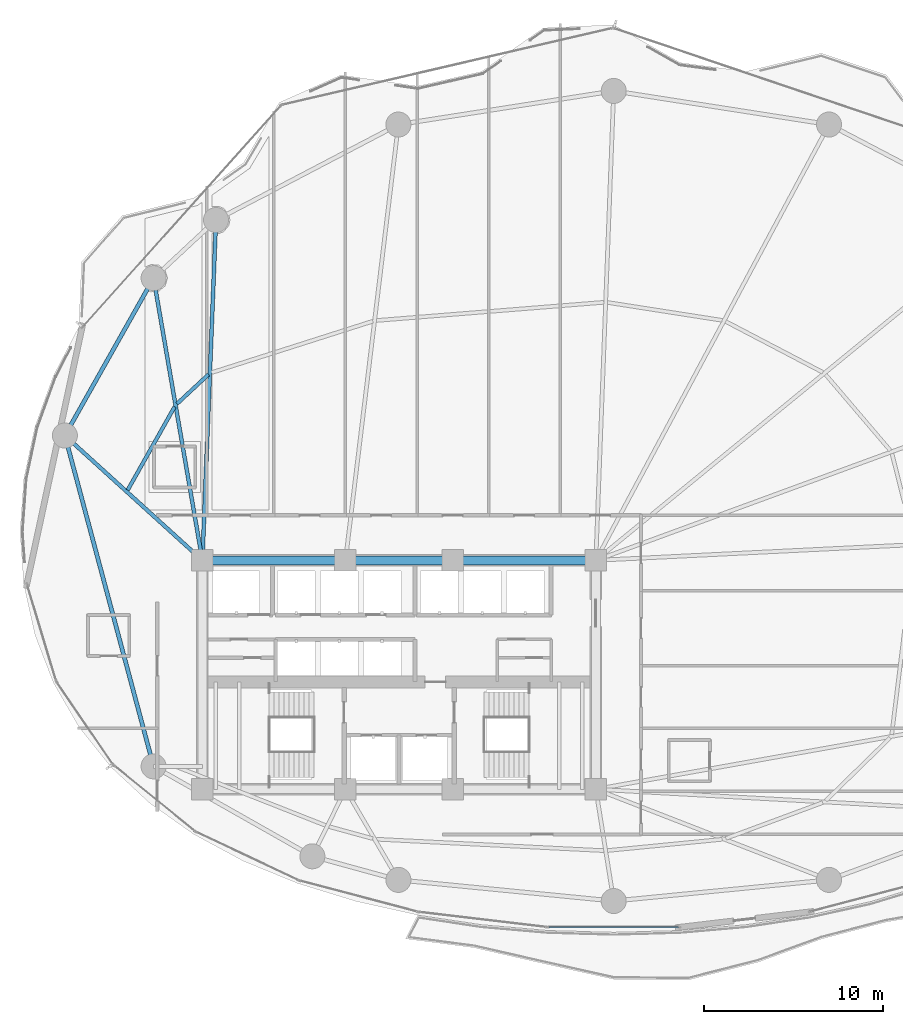
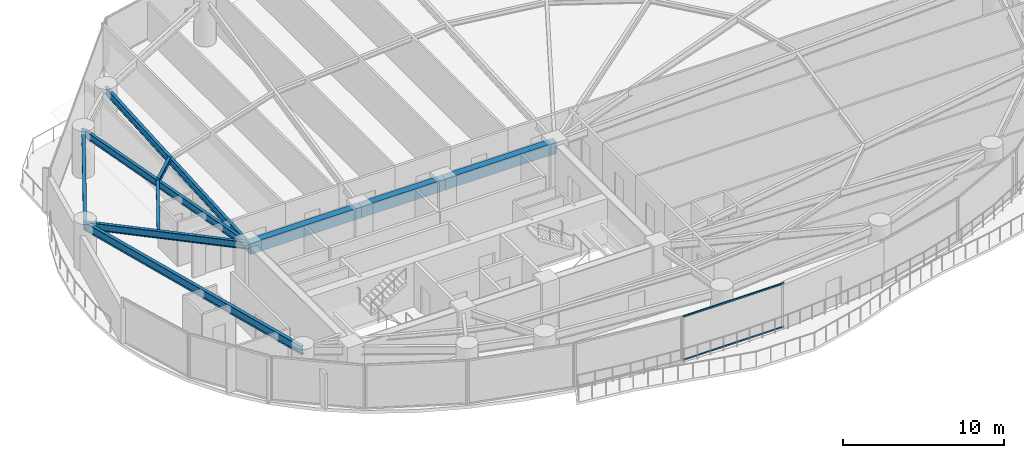
# One storey, part 9 of 32: 10 beams, 2 members, 1 element without a shape of its own.
"""IFC4 building model written with IfcOpenShell, lengths in metres."""

from ifc_helpers import new_model, si_unit, direction, frame, origin, origin_2d, place, context, subcontext, project, spatial, rectangle, hollow_rectangle, i_section, extrude, material, layer, layer_set, material_profile, profile_set, type_object, element, aggregate, save


model = new_model("IFC4")

# Units and contexts
model_context = context("Model", 3, precision=1e-05, world=origin(), true_north=direction((0.0, 1.0)))
body_context = subcontext(model_context, "Body", "Model", "MODEL_VIEW")
ifc_project = project(units=[si_unit("LENGTHUNIT", "METRE"), si_unit("AREAUNIT", "SQUARE_METRE"), si_unit("VOLUMEUNIT", "CUBIC_METRE"), si_unit("PLANEANGLEUNIT", "RADIAN"), si_unit("MASSUNIT", "GRAM", prefix="KILO")], contexts=[model_context])

# Site, building, storey
site_placement = place(None, origin())
site = spatial("IfcSite", under=ifc_project, at=site_placement, CompositionType="ELEMENT")
building_placement = place(site_placement, origin())
building = spatial("IfcBuilding", under=site, at=building_placement, Name="Kazevale Care Tower and Concert Hall", CompositionType="ELEMENT")
storey_placement = place(building_placement, frame((0.0, 0.0, 85.199951171875)))
storey = spatial("IfcBuildingStorey", under=building, at=storey_placement, Name="L22", CompositionType="ELEMENT", Elevation=85.199951171875)

# Curtain wall, members
ifc_material_1 = material(Name="Aluminium 6063-T6 and Low-E Glass", Category="aluminium")
ifc_layer = layer(ifc_material_1, 0.179931640625)
ifc_layer_set = layer_set([ifc_layer], Name="Aluminium 6063-T6 and Low-E Glass")
curtain_wall_type = type_object("IfcCurtainWallType", Name="Sheltered Concave Balcony Curtain Wall CW-5", PredefinedType="NOTDEFINED", material=ifc_layer_set)
curtain_wall_placement = place(storey_placement, origin())
curtain_wall = element("IfcCurtainWall", 1, at=curtain_wall_placement, inside=storey, type_object=curtain_wall_type, Name="cw:L22:f06", PredefinedType="NOTDEFINED")
ifc_material_2 = material(Name="Aluminium 6063-T6", Category="aluminium")
ifc_material_profile_1 = material_profile(ifc_material_2, hollow_rectangle(XDim=0.074951171875, YDim=0.1201171875, WallThickness=0.00390625, at=origin_2d()), Name="ALU75x120x4")
ifc_profile_set_1 = profile_set([ifc_material_profile_1], Name="Aluminium 6063-T6")
member_type = type_object("IfcMemberType", Name="CW-5 Transom ALU75x120x4", PredefinedType="USERDEFINED", material=ifc_profile_set_1)
member_1_placement = place(storey_placement, frame((48.632080078125, 15.885986328125, 0.03759765625), z_axis=(-1.0, 0.0, 0.0), x_axis=(0.0, -1.0, 0.0)))
member_1 = element("IfcMember", 2, at=member_1_placement, type_object=member_type, Name="CW-5 transom 1.1", ObjectType="TRANSOM", PredefinedType="USERDEFINED", context=body_context, shape_type="SweptSolid", body=[
    extrude(hollow_rectangle(XDim=0.074951171875, YDim=0.1201171875, WallThickness=0.00390625, at=origin_2d()), origin(), (0.0, 0.0, 1.0), 7.26416015625),
])
member_2_placement = place(storey_placement, frame((48.632080078125, 15.885986328125, 3.322509765625), z_axis=(-1.0, 0.0, 0.0), x_axis=(0.0, -1.0, 0.0)))
member_2 = element("IfcMember", 3, at=member_2_placement, type_object=member_type, Name="CW-5 transom 1.2", ObjectType="TRANSOM", PredefinedType="USERDEFINED", context=body_context, shape_type="SweptSolid", body=[
    extrude(hollow_rectangle(XDim=0.074951171875, YDim=0.1201171875, WallThickness=0.00390625, at=origin_2d()), origin(), (0.0, 0.0, 1.0), 7.26416015625),
])
aggregate(curtain_wall, [member_1, member_2])

# Beams
ifc_material_3 = material(Name="Concrete C60", Category="concrete")
ifc_material_profile_2 = material_profile(ifc_material_3, rectangle(XDim=0.5, YDim=0.85009765625, at=origin_2d()), Name="RC-B500x850")
ifc_profile_set_2 = profile_set([ifc_material_profile_2], Name="Concrete C60")
beam_type_1 = type_object("IfcBeamType", Name="Core Coupling Beam RC500x850", PredefinedType="LINTEL", material=ifc_profile_set_2)
beam_1_placement = place(storey_placement, frame((44.0, 36.39990234375, 2.93505859375), z_axis=(-1.0, 0.0, 0.0), x_axis=(0.0, -1.0, 0.0)))
element("IfcBeam", 4, at=beam_1_placement, inside=storey, type_object=beam_type_1, Name="beam:L22:coretie:5", PredefinedType="LINTEL", context=body_context, shape_type="SweptSolid", body=[
    extrude(rectangle(XDim=0.5, YDim=0.85009765625, at=origin_2d()), origin(), (0.0, 0.0, 1.0), 8.0),
])
beam_2_placement = place(storey_placement, frame((36.0, 36.39990234375, 2.93505859375), z_axis=(-1.0, 0.0, 0.0), x_axis=(0.0, -1.0, 0.0)))
element("IfcBeam", 5, at=beam_2_placement, inside=storey, type_object=beam_type_1, Name="beam:L22:coretie:6", PredefinedType="LINTEL", context=body_context, shape_type="SweptSolid", body=[
    extrude(rectangle(XDim=0.5, YDim=0.85009765625, at=origin_2d()), origin(), (0.0, 0.0, 1.0), 6.0),
])
beam_3_placement = place(storey_placement, frame((30.0, 36.39990234375, 2.93505859375), z_axis=(-1.0, 0.0, 0.0), x_axis=(0.0, -1.0, 0.0)))
element("IfcBeam", 6, at=beam_3_placement, inside=storey, type_object=beam_type_1, Name="beam:L22:coretie:7", PredefinedType="LINTEL", context=body_context, shape_type="SweptSolid", body=[
    extrude(rectangle(XDim=0.5, YDim=0.85009765625, at=origin_2d()), origin(), (0.0, 0.0, 1.0), 8.0),
])
ifc_material_4 = material(Name="Steel ASTM A572 Gr 50", Category="steel")
ifc_material_profile_3 = material_profile(ifc_material_4, i_section(OverallWidth=0.2119140625, OverallDepth=0.5439453125, WebThickness=0.01318359375, FlangeThickness=0.021240234375, at=origin_2d()), Name="W530x123")
ifc_profile_set_3 = profile_set([ifc_material_profile_3], Name="Steel ASTM A572 Gr 50")
beam_type_2 = type_object("IfcBeamType", Name="Radial Floor Girder W530x123", PredefinedType="BEAM", material=ifc_profile_set_3)
beam_4_placement = place(storey_placement, frame((22.0, 36.39990234375, 3.088134765625), z_axis=(0.039905581428, 0.999203455044, 0.0), x_axis=(-0.999203455044, 0.039905581428, 0.0)))
element("IfcBeam", 7, at=beam_4_placement, inside=storey, type_object=beam_type_2, Name="beam:L22:rad:07", PredefinedType="BEAM", context=body_context, shape_type="SweptSolid", body=[
    extrude(i_section(OverallWidth=0.2119140625, OverallDepth=0.5439453125, WebThickness=0.01318359375, FlangeThickness=0.021240234375, at=origin_2d()), origin(), (0.0, 0.0, 1.0), 19.045166015625),
])
beam_5_placement = place(storey_placement, frame((22.0, 36.39990234375, 3.088134765625), z_axis=(-0.170469986865, 0.985362868987, 0.0), x_axis=(-0.985362868987, -0.170469986865, 0.0)))
element("IfcBeam", 8, at=beam_5_placement, inside=storey, type_object=beam_type_2, Name="beam:L22:rad:08", PredefinedType="BEAM", context=body_context, shape_type="SweptSolid", body=[
    extrude(i_section(OverallWidth=0.2119140625, OverallDepth=0.5439453125, WebThickness=0.01318359375, FlangeThickness=0.021240234375, at=origin_2d()), origin(), (0.0, 0.0, 1.0), 16.014404296875),
])
beam_6_placement = place(storey_placement, frame((22.0, 36.39990234375, 3.088134765625), z_axis=(-0.740461073653, 0.672099247436, 0.0), x_axis=(-0.672099247436, -0.740461073653, 0.0)))
element("IfcBeam", 9, at=beam_6_placement, inside=storey, type_object=beam_type_2, Name="beam:L22:rad:09", PredefinedType="BEAM", context=body_context, shape_type="SweptSolid", body=[
    extrude(i_section(OverallWidth=0.2119140625, OverallDepth=0.5439453125, WebThickness=0.01318359375, FlangeThickness=0.021240234375, at=origin_2d()), origin(), (0.0, 0.0, 1.0), 10.38525390625),
])
ifc_material_profile_4 = material_profile(ifc_material_4, i_section(OverallWidth=0.22900390625, OverallDepth=0.612060546875, WebThickness=0.011962890625, FlangeThickness=0.01953125, at=origin_2d()), Name="W610x125")
ifc_profile_set_4 = profile_set([ifc_material_profile_4], Name="Steel ASTM A572 Gr 50")
beam_type_3 = type_object("IfcBeamType", Name="Ring Spandrel Beam W610x125", PredefinedType="SPANDREL", material=ifc_profile_set_4)
beam_7_placement = place(storey_placement, frame((19.27001953125, 52.179931640625, 3.053955078125), z_axis=(-0.491008061092, -0.87115502865, 0.0), x_axis=(0.87115502865, -0.491008061092, 0.0)))
element("IfcBeam", 10, at=beam_7_placement, inside=storey, type_object=beam_type_3, Name="beam:L22:ring:08", PredefinedType="SPANDREL", context=body_context, shape_type="SweptSolid", body=[
    extrude(i_section(OverallWidth=0.22900390625, OverallDepth=0.612060546875, WebThickness=0.011962890625, FlangeThickness=0.01953125, at=origin_2d()), origin(), (0.0, 0.0, 1.0), 10.1015625),
])
beam_8_placement = place(storey_placement, frame((14.31005859375, 43.3798828125, 3.053955078125), z_axis=(0.258960352031, -0.965887952133, 0.0), x_axis=(0.965887952133, 0.258960352031, 0.0)))
element("IfcBeam", 11, at=beam_8_placement, inside=storey, type_object=beam_type_3, Name="beam:L22:ring:09", PredefinedType="SPANDREL", context=body_context, shape_type="SweptSolid", body=[
    extrude(i_section(OverallWidth=0.22900390625, OverallDepth=0.612060546875, WebThickness=0.011962890625, FlangeThickness=0.01953125, at=origin_2d()), origin(), (0.0, 0.0, 1.0), 19.1533203125),
])
ifc_material_profile_5 = material_profile(ifc_material_4, i_section(OverallWidth=0.205078125, OverallDepth=0.35400390625, WebThickness=0.009521484375, FlangeThickness=0.016845703125, at=origin_2d()), Name="W360x79")
ifc_profile_set_5 = profile_set([ifc_material_profile_5], Name="Steel ASTM A572 Gr 50")
beam_type_4 = type_object("IfcBeamType", Name="Secondary Floor Joist W360x79", PredefinedType="JOIST", material=ifc_profile_set_5)
beam_9_placement = place(storey_placement, frame((22.341064453125, 46.794921875, 3.18310546875), z_axis=(-0.73194965424, -0.68135871878, 0.0), x_axis=(0.68135871878, -0.73194965424, 0.0)))
element("IfcBeam", 12, at=beam_9_placement, inside=storey, type_object=beam_type_4, Name="beam:L22:joist:07", PredefinedType="JOIST", context=body_context, shape_type="SweptSolid", body=[
    extrude(i_section(OverallWidth=0.205078125, OverallDepth=0.35400390625, WebThickness=0.009521484375, FlangeThickness=0.016845703125, at=origin_2d()), origin(), (0.0, 0.0, 1.0), 2.412841796875),
])
beam_10_placement = place(storey_placement, frame((20.447021484375, 44.988037109375, 3.18310546875), z_axis=(-0.490956987312, -0.871183813331, 0.0), x_axis=(0.871183813331, -0.490956987312, 0.0)))
element("IfcBeam", 13, at=beam_10_placement, inside=storey, type_object=beam_type_4, Name="beam:L22:joist:08", PredefinedType="JOIST", context=body_context, shape_type="SweptSolid", body=[
    extrude(i_section(OverallWidth=0.205078125, OverallDepth=0.35400390625, WebThickness=0.009521484375, FlangeThickness=0.016845703125, at=origin_2d()), origin(), (0.0, 0.0, 1.0), 5.3466796875),
])

save(model, "model.ifc")
